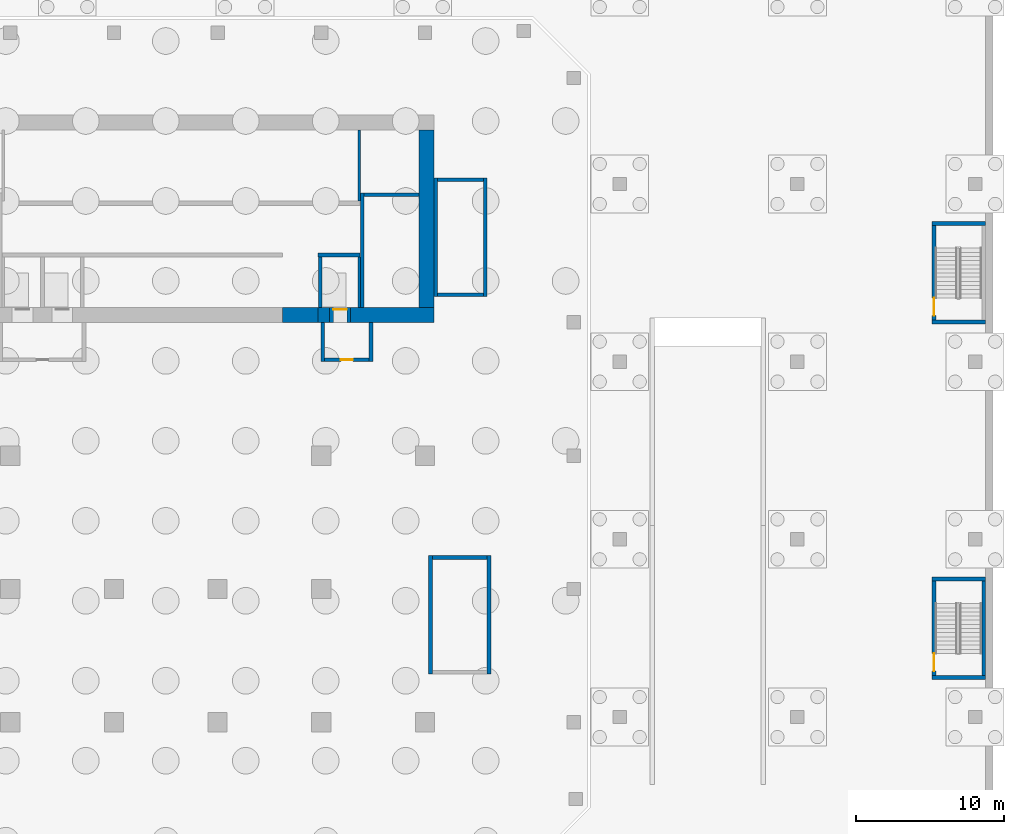
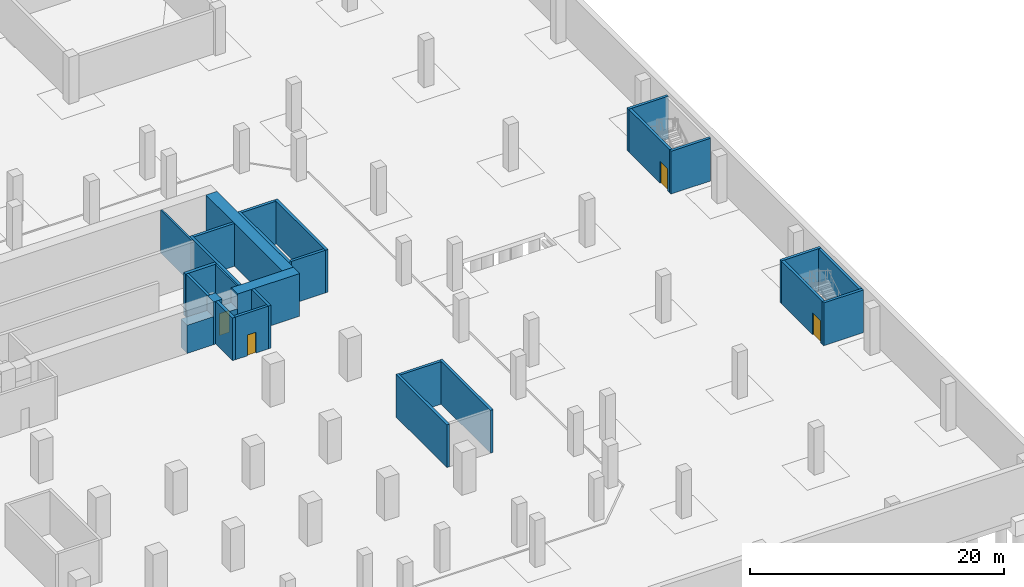
# One storey, part 9 of 15: 28 walls, 4 doors, 4 openings.
"""IFC4 building model written with IfcOpenShell, lengths in metres."""

from ifc_helpers import new_model, si_unit, direction, frame, frame_2d, origin, place, context, subcontext, project, spatial, rectangle, extrude, source, transform, mapped, material, layer, layer_set, type_object, element, fill, save


model = new_model("IFC4")

# Units and contexts
model_context = context("Model", 3, precision=1e-05, world=origin(), true_north=direction((0.0, 1.0)))
body_context = subcontext(model_context, "Body", "Model", "MODEL_VIEW")
ifc_project = project(units=[si_unit("LENGTHUNIT", "METRE"), si_unit("AREAUNIT", "SQUARE_METRE"), si_unit("VOLUMEUNIT", "CUBIC_METRE"), si_unit("PLANEANGLEUNIT", "RADIAN"), si_unit("MASSUNIT", "GRAM", prefix="KILO")], contexts=[model_context])

# Site, building, storey
site_placement = place(None, origin())
site = spatial("IfcSite", under=ifc_project, at=site_placement, CompositionType="ELEMENT")
building_placement = place(site_placement, origin())
building = spatial("IfcBuilding", under=site, at=building_placement, Name="Kilnfold Tower and Market Hall", CompositionType="ELEMENT")
storey_placement = place(building_placement, frame((0.0, 0.0, -9.0)))
storey = spatial("IfcBuildingStorey", under=building, at=storey_placement, Name="B2", CompositionType="ELEMENT", Elevation=-9.0)

# Walls
ifc_material_1 = material(Name="Concrete C80", Category="concrete")
ifc_layer_1 = layer(ifc_material_1, 1.0)
ifc_layer_set_1 = layer_set([ifc_layer_1], Name="Concrete C80")
wall_type_1 = type_object("IfcWallType", Name="CORE WALL 1000 C80", PredefinedType="SHEAR", material=ifc_layer_set_1)
shared_shape_1 = source(origin(), body_context, "Body", "SweptSolid", [
    extrude(rectangle(XDim=0.780029296875, YDim=1.0, at=frame_2d((0.39013671875, 0.0))), origin(), (0.0, 0.0, 1.0), 4.10009765625),
])
wall_1_placement = place(storey_placement, frame((10.2900390625, 8.5, 0.0), z_axis=(0.0, 0.0, 1.0), x_axis=(1.0, 0.0, 0.0)))
element("IfcWall", 1, at=wall_1_placement, inside=storey, type_object=wall_type_1, Name="Core outer wall south", PredefinedType="SHEAR", context=body_context, shape_type="MappedRepresentation", body=[
    mapped(shared_shape_1, transform((0.0, 0.0, 0.0))),
])
shared_shape_2 = source(origin(), body_context, "Body", "SweptSolid", [
    extrude(rectangle(XDim=5.630126953125, YDim=1.0, at=frame_2d((2.81494140625, 0.0))), origin(), (0.0, 0.0, 1.0), 4.10009765625),
])
wall_2_placement = place(storey_placement, frame((12.469970703125, 8.5, 0.0), z_axis=(0.0, 0.0, 1.0), x_axis=(1.0, 0.0, 0.0)))
element("IfcWall", 2, at=wall_2_placement, inside=storey, type_object=wall_type_1, Name="Core outer wall south", PredefinedType="SHEAR", context=body_context, shape_type="MappedRepresentation", body=[
    mapped(shared_shape_2, transform((0.0, 0.0, 0.0))),
])
shared_shape_3 = source(origin(), body_context, "Body", "SweptSolid", [
    extrude(rectangle(XDim=12.0, YDim=1.0, at=frame_2d((6.0, 0.0))), origin(), (0.0, 0.0, 1.0), 4.10009765625),
])
wall_3_placement = place(storey_placement, frame((17.60009765625, 9.0, 0.0), z_axis=(0.0, 0.0, 1.0), x_axis=(0.0, 1.0, 0.0)))
element("IfcWall", 3, at=wall_3_placement, inside=storey, type_object=wall_type_1, Name="Core outer wall east", PredefinedType="SHEAR", context=body_context, shape_type="MappedRepresentation", body=[
    mapped(shared_shape_3, transform((0.0, 0.0, 0.0))),
])
ifc_material_2 = material(Name="Concrete C80", Category="concrete")
ifc_layer_2 = layer(ifc_material_2, 0.25)
ifc_layer_set_2 = layer_set([ifc_layer_2], Name="Concrete C80")
wall_type_2 = type_object("IfcWallType", Name="CORE WALL 250 C80", PredefinedType="SHEAR", material=ifc_layer_set_2)
shared_shape_4 = source(origin(), body_context, "Body", "SweptSolid", [
    extrude(rectangle(XDim=7.75, YDim=0.25, at=frame_2d((3.875, 0.0))), origin(), (0.0, 0.0, 1.0), 4.10009765625),
])
wall_4_placement = place(storey_placement, frame((13.27490234375, 9.0, 0.0), z_axis=(0.0, 0.0, 1.0), x_axis=(0.0, 1.0, 0.0)))
element("IfcWall", 4, at=wall_4_placement, inside=storey, type_object=wall_type_2, Name="Stair enclosure ST2", PredefinedType="SHEAR", context=body_context, shape_type="MappedRepresentation", body=[
    mapped(shared_shape_4, transform((0.0, 0.0, 0.0))),
])
shared_shape_5 = source(origin(), body_context, "Body", "SweptSolid", [
    extrude(rectangle(XDim=3.699951171875, YDim=0.25, at=frame_2d((1.85009765625, 0.0))), origin(), (0.0, 0.0, 1.0), 4.10009765625),
])
wall_5_placement = place(storey_placement, frame((18.0, -7.875, 0.0), z_axis=(0.0, 0.0, 1.0), x_axis=(1.0, 0.0, 0.0)))
element("IfcWall", 5, at=wall_5_placement, inside=storey, type_object=wall_type_2, Name="Stair enclosure ST4", PredefinedType="SHEAR", context=body_context, shape_type="MappedRepresentation", body=[
    mapped(shared_shape_5, transform((0.0, 0.0, 0.0))),
])
shared_shape_6 = source(origin(), body_context, "Body", "SweptSolid", [
    extrude(rectangle(XDim=3.7001953125, YDim=0.25, at=frame_2d((1.85009765625, 0.0))), origin(), (0.0, 0.0, 1.0), 4.10009765625),
])
wall_6_placement = place(storey_placement, frame((13.39990234375, 16.625, 0.0), z_axis=(0.0, 0.0, 1.0), x_axis=(1.0, 0.0, 0.0)))
element("IfcWall", 6, at=wall_6_placement, inside=storey, type_object=wall_type_2, Name="Stair enclosure ST2", PredefinedType="SHEAR", context=body_context, shape_type="MappedRepresentation", body=[
    mapped(shared_shape_6, transform((0.0, 0.0, 0.0))),
])
shared_shape_7 = source(origin(), body_context, "Body", "SweptSolid", [
    extrude(rectangle(XDim=8.0, YDim=0.25, at=frame_2d((4.0, 0.0))), origin(), (0.0, 0.0, 1.0), 4.10009765625),
])
for number, where, z_axis, x_axis, name in (
    (7, (17.875, -15.75, 0.0), (0.0, 0.0, 1.0), (0.0, 1.0, 0.0), "Stair enclosure ST4"),
    (8, (21.824951171875, -15.75, 0.0), (0.0, 0.0, 1.0), (0.0, 1.0, 0.0), "Stair enclosure ST4"),
    (9, (18.22509765625, 9.75, 0.0), (0.0, 0.0, 1.0), (0.0, 1.0, 0.0), "Stair enclosure ST5"),
    (10, (21.574951171875, 9.75, 0.0), (0.0, 0.0, 1.0), (0.0, 1.0, 0.0), "Stair enclosure ST5"),
):
    element("IfcWall", number, at=place(storey_placement, frame(where, z_axis=z_axis, x_axis=x_axis)), inside=storey, type_object=wall_type_2, Name=name, PredefinedType="SHEAR", context=body_context, shape_type="MappedRepresentation", body=[
        mapped(shared_shape_7, transform((0.0, 0.0, 0.0))),
    ])
shared_shape_8 = source(origin(), body_context, "Body", "SweptSolid", [
    extrude(rectangle(XDim=3.099853515625, YDim=0.25, at=frame_2d((1.5498046875, 0.0))), origin(), (0.0, 0.0, 1.0), 4.10009765625),
])
for number, where, z_axis, x_axis, name in (
    (11, (18.35009765625, 9.875, 0.0), (0.0, 0.0, 1.0), (1.0, 0.0, 0.0), "Stair enclosure ST5"),
    (12, (18.35009765625, 17.625, 0.0), (0.0, 0.0, 1.0), (1.0, 0.0, 0.0), "Stair enclosure ST5"),
):
    element("IfcWall", number, at=place(storey_placement, frame(where, z_axis=z_axis, x_axis=x_axis)), inside=storey, type_object=wall_type_2, Name=name, PredefinedType="SHEAR", context=body_context, shape_type="MappedRepresentation", body=[
        mapped(shared_shape_8, transform((0.0, 0.0, 0.0))),
    ])
ifc_material_3 = material(Name="Concrete C80", Category="concrete")
ifc_layer_3 = layer(ifc_material_3, 0.300048828125)
ifc_layer_set_3 = layer_set([ifc_layer_3], Name="Concrete C80")
wall_type_3 = type_object("IfcWallType", Name="CORE WALL 300 C80", PredefinedType="SHEAR", material=ifc_layer_set_3)
shared_shape_9 = source(origin(), body_context, "Body", "SweptSolid", [
    extrude(rectangle(XDim=2.820068359375, YDim=0.300048828125, at=frame_2d((1.41015625, 0.0))), origin(), (0.0, 0.0, 1.0), 4.10009765625),
])
wall_7_placement = place(storey_placement, frame((10.2900390625, 12.550048828125, 0.0), z_axis=(0.0, 0.0, 1.0), x_axis=(1.0, 0.0, 0.0)))
element("IfcWall", 13, at=wall_7_placement, inside=storey, type_object=wall_type_3, Name="Core spine wall", PredefinedType="SHEAR", context=body_context, shape_type="MappedRepresentation", body=[
    mapped(shared_shape_9, transform((0.0, 0.0, 0.0))),
])
ifc_material_4 = material(Name="Gypsum shaft wall system")
ifc_layer_4 = layer(ifc_material_4, 0.25)
ifc_layer_set_4 = layer_set([ifc_layer_4], Name="Gypsum shaft wall system")
wall_type_4 = type_object("IfcWallType", Name="LOBBY WALL 250", PredefinedType="PARTITIONING", material=ifc_layer_set_4)
shared_shape_10 = source(origin(), body_context, "Body", "SweptSolid", [
    extrude(rectangle(XDim=2.64990234375, YDim=0.25, at=frame_2d((1.324951171875, 0.0))), origin(), (0.0, 0.0, 1.0), 4.10009765625),
])
for number, where, z_axis, x_axis, name in (
    (14, (10.60498046875, 5.35009765625, 0.0), (0.0, 0.0, 1.0), (0.0, 1.0, 0.0), "Firefighting lobby wall"),
    (15, (13.85498046875, 5.35009765625, 0.0), (0.0, 0.0, 1.0), (0.0, 1.0, 0.0), "Firefighting lobby wall"),
):
    element("IfcWall", number, at=place(storey_placement, frame(where, z_axis=z_axis, x_axis=x_axis)), inside=storey, type_object=wall_type_4, Name=name, PredefinedType="PARTITIONING", context=body_context, shape_type="MappedRepresentation", body=[
        mapped(shared_shape_10, transform((0.0, 0.0, 0.0))),
    ])

# Wall, opening, door
shared_shape_11 = source(origin(), body_context, "Body", "SweptSolid", [
    extrude(rectangle(XDim=3.0, YDim=0.25, at=frame_2d((1.5, 0.0))), origin(), (0.0, 0.0, 1.0), 4.10009765625),
])
wall_8_placement = place(storey_placement, frame((10.72998046875, 5.47509765625, 0.0), z_axis=(0.0, 0.0, 1.0), x_axis=(1.0, 0.0, 0.0)))
wall_8 = element("IfcWall", 16, at=wall_8_placement, inside=storey, type_object=wall_type_4, Name="Firefighting lobby wall", PredefinedType="PARTITIONING", context=body_context, shape_type="MappedRepresentation", body=[
    mapped(shared_shape_11, transform((0.0, 0.0, 0.0))),
])
opening_1_placement = place(wall_8_placement, frame((1.10009765625, 0.0, 0.0)))
opening_1 = element("IfcOpeningElement", 17, at=opening_1_placement, cuts=wall_8, Name="Opening VD1", PredefinedType="OPENING", context=body_context, shape_type="SweptSolid", body=[
    extrude(rectangle(XDim=0.800048828125, YDim=2.0, at=frame_2d((0.39990234375, 1.0))), frame((0.0, 0.135009765625, 0.0), z_axis=(0.0, -1.0, 0.0), x_axis=(1.0, 0.0, 0.0)), (0.0, 0.0, 1.0), 0.27001953125),
])
ifc_material_5 = material(Name="Steel door set with fire-resisting leaf", Category="steel")
door_type_1 = type_object("IfcDoorType", Name="FIREFIGHTING LOBBY DOOR 800X2000", OperationType="NOTDEFINED", PredefinedType="DOOR", material=ifc_material_5)
door_1_placement = place(opening_1_placement, origin())
door_1 = element("IfcDoor", 18, at=door_1_placement, inside=storey, type_object=door_type_1, Name="Firefighting lobby door", OperationType="SINGLE_SWING_RIGHT", OverallHeight=2.0, OverallWidth=0.800048828125, PredefinedType="DOOR", context=body_context, shape_type="SweptSolid", body=[
    extrude(rectangle(XDim=0.800048828125, YDim=2.0, at=frame_2d((0.39990234375, 1.0))), frame((0.0, 0.02490234375, 0.0), z_axis=(0.0, -1.0, 0.0), x_axis=(1.0, 0.0, 0.0)), (0.0, 0.0, 1.0), 0.050048828125),
])
fill(opening_1, door_1)

# Walls
ifc_material_6 = material(Name="Gypsum shaft wall system")
ifc_layer_5 = layer(ifc_material_6, 0.1650390625)
ifc_layer_set_5 = layer_set([ifc_layer_5], Name="Gypsum shaft wall system")
wall_type_5 = type_object("IfcWallType", Name="SHAFT WALL 165", PredefinedType="PARTITIONING", material=ifc_layer_set_5)
shared_shape_12 = source(origin(), body_context, "Body", "SweptSolid", [
    extrude(rectangle(XDim=4.800048828125, YDim=0.1650390625, at=frame_2d((2.39990234375, 0.0))), origin(), (0.0, 0.0, 1.0), 4.10009765625),
])
wall_9_placement = place(storey_placement, frame((13.0673828125, 16.199951171875, 0.0), z_axis=(0.0, 0.0, 1.0), x_axis=(0.0, 1.0, 0.0)))
element("IfcWall", 19, at=wall_9_placement, inside=storey, type_object=wall_type_5, Name="Lift shaft wall", PredefinedType="PARTITIONING", context=body_context, shape_type="MappedRepresentation", body=[
    mapped(shared_shape_12, transform((0.0, 0.0, 0.0))),
])
ifc_material_7 = material(Name="Gypsum shaft wall system")
ifc_layer_6 = layer(ifc_material_7, 0.25)
ifc_layer_set_6 = layer_set([ifc_layer_6], Name="Gypsum shaft wall system")
wall_type_6 = type_object("IfcWallType", Name="SHAFT WALL 250", PredefinedType="PARTITIONING", material=ifc_layer_set_6)
shared_shape_13 = source(origin(), body_context, "Body", "SweptSolid", [
    extrude(rectangle(XDim=3.39990234375, YDim=0.25, at=frame_2d((1.699951171875, 0.0))), origin(), (0.0, 0.0, 1.0), 4.10009765625),
])
wall_10_placement = place(storey_placement, frame((10.429931640625, 9.0, 0.0), z_axis=(0.0, 0.0, 1.0), x_axis=(0.0, 1.0, 0.0)))
element("IfcWall", 20, at=wall_10_placement, inside=storey, type_object=wall_type_6, Name="Lift shaft wall", PredefinedType="PARTITIONING", context=body_context, shape_type="MappedRepresentation", body=[
    mapped(shared_shape_13, transform((0.0, 0.0, 0.0))),
])
shared_shape_14 = source(origin(), body_context, "Body", "SweptSolid", [
    extrude(rectangle(XDim=3.39990234375, YDim=0.1650390625, at=frame_2d((1.699951171875, 0.0))), origin(), (0.0, 0.0, 1.0), 4.10009765625),
])
wall_11_placement = place(storey_placement, frame((13.0673828125, 9.0, 0.0), z_axis=(0.0, 0.0, 1.0), x_axis=(0.0, 1.0, 0.0)))
element("IfcWall", 21, at=wall_11_placement, inside=storey, type_object=wall_type_5, Name="Lift shaft wall", PredefinedType="PARTITIONING", context=body_context, shape_type="MappedRepresentation", body=[
    mapped(shared_shape_14, transform((0.0, 0.0, 0.0))),
])

# Wall, opening, door
ifc_material_8 = material(Name="Gypsum shaft wall system")
ifc_layer_7 = layer(ifc_material_8, 1.0)
ifc_layer_set_7 = layer_set([ifc_layer_7], Name="Gypsum shaft wall system")
wall_type_7 = type_object("IfcWallType", Name="LOBBY WALL 1000", PredefinedType="PARTITIONING", material=ifc_layer_set_7)
shared_shape_15 = source(origin(), body_context, "Body", "SweptSolid", [
    extrude(rectangle(XDim=1.39990234375, YDim=1.0, at=frame_2d((0.699951171875, 0.0))), origin(), (0.0, 0.0, 1.0), 2.699951171875),
])
wall_12_placement = place(storey_placement, frame((11.070068359375, 8.5, 0.0), z_axis=(0.0, 0.0, 1.0), x_axis=(1.0, 0.0, 0.0)))
wall_12 = element("IfcWall", 22, at=wall_12_placement, inside=storey, type_object=wall_type_7, Name="Core wall infill", PredefinedType="PARTITIONING", context=body_context, shape_type="MappedRepresentation", body=[
    mapped(shared_shape_15, transform((0.0, 0.0, 0.0))),
])
opening_2_placement = place(wall_12_placement, frame((0.25, 0.0, 0.0)))
opening_2 = element("IfcOpeningElement", 23, at=opening_2_placement, cuts=wall_12, Name="Opening LD1", PredefinedType="OPENING", context=body_context, shape_type="SweptSolid", body=[
    extrude(rectangle(XDim=0.89990234375, YDim=2.10009765625, at=frame_2d((0.449951171875, 1.050048828125))), frame((0.0, 0.510009765625, 0.0), z_axis=(0.0, -1.0, 0.0), x_axis=(1.0, 0.0, 0.0)), (0.0, 0.0, 1.0), 1.02001953125),
])
ifc_material_9 = material(Name="Steel door set with fire-resisting leaf", Category="steel")
door_type_2 = type_object("IfcDoorType", Name="FIREFIGHTING LANDING DOOR 900X2100", OperationType="NOTDEFINED", PredefinedType="DOOR", material=ifc_material_9)
door_2_placement = place(opening_2_placement, origin())
door_2 = element("IfcDoor", 24, at=door_2_placement, inside=storey, type_object=door_type_2, Name="Landing door FF3", OperationType="SLIDING_TO_LEFT", OverallHeight=2.10009765625, OverallWidth=0.89990234375, PredefinedType="DOOR", context=body_context, shape_type="SweptSolid", body=[
    extrude(rectangle(XDim=0.89990234375, YDim=2.10009765625, at=frame_2d((0.449951171875, 1.050048828125))), frame((0.0, 0.40478515625, 0.0), z_axis=(0.0, -1.0, 0.0), x_axis=(1.0, 0.0, 0.0)), (0.0, 0.0, 1.0), 0.050048828125),
])
fill(opening_2, door_2)

# Walls
shared_shape_16 = source(origin(), body_context, "Body", "SweptSolid", [
    extrude(rectangle(XDim=2.400146484375, YDim=1.0, at=frame_2d((1.2001953125, 0.0))), origin(), (0.0, 0.0, 1.0), 2.699951171875),
])
wall_13_placement = place(storey_placement, frame((7.889892578125, 8.5, 0.0), z_axis=(0.0, 0.0, 1.0), x_axis=(1.0, 0.0, 0.0)))
element("IfcWall", 25, at=wall_13_placement, inside=storey, type_object=wall_type_7, Name="Core wall infill", PredefinedType="PARTITIONING", context=body_context, shape_type="MappedRepresentation", body=[
    mapped(shared_shape_16, transform((0.0, 0.0, 0.0))),
])
ifc_material_10 = material(Name="Concrete C50/60", Category="concrete")
ifc_layer_8 = layer(ifc_material_10, 0.25)
ifc_layer_set_8 = layer_set([ifc_layer_8], Name="Concrete C50/60")
wall_type_8 = type_object("IfcWallType", Name="CAR PARK STAIR WALL 250", PredefinedType="SHEAR", material=ifc_layer_set_8)
shared_shape_17 = source(origin(), body_context, "Body", "SweptSolid", [
    extrude(rectangle(XDim=3.60009765625, YDim=0.25, at=frame_2d((1.800048828125, 0.0))), origin(), (0.0, 0.0, 1.0), 4.10009765625),
])
for number, where, z_axis, x_axis, name in (
    (26, (51.75, -15.97509765625, 0.0), (0.0, 0.0, 1.0), (1.0, 0.0, 0.0), "Stair CS3 wall south"),
    (27, (51.75, -9.324951171875, 0.0), (0.0, 0.0, 1.0), (1.0, 0.0, 0.0), "Stair CS3 wall north"),
    (28, (51.75, 8.02490234375, 0.0), (0.0, 0.0, 1.0), (1.0, 0.0, 0.0), "Stair CS4 wall south"),
    (29, (51.75, 14.675048828125, 0.0), (0.0, 0.0, 1.0), (1.0, 0.0, 0.0), "Stair CS4 wall north"),
):
    element("IfcWall", number, at=place(storey_placement, frame(where, z_axis=z_axis, x_axis=x_axis)), inside=storey, type_object=wall_type_8, Name=name, PredefinedType="SHEAR", context=body_context, shape_type="MappedRepresentation", body=[
        mapped(shared_shape_17, transform((0.0, 0.0, 0.0))),
    ])

# Wall, opening, door
shared_shape_18 = source(origin(), body_context, "Body", "SweptSolid", [
    extrude(rectangle(XDim=6.400146484375, YDim=0.25, at=frame_2d((3.2001953125, 0.0))), origin(), (0.0, 0.0, 1.0), 4.10009765625),
])
wall_14_placement = place(storey_placement, frame((51.875, -15.85009765625, 0.0), z_axis=(0.0, 0.0, 1.0), x_axis=(0.0, 1.0, 0.0)))
wall_14 = element("IfcWall", 30, at=wall_14_placement, inside=storey, type_object=wall_type_8, Name="Stair CS3 wall west", PredefinedType="SHEAR", context=body_context, shape_type="MappedRepresentation", body=[
    mapped(shared_shape_18, transform((0.0, 0.0, 0.0))),
])
opening_3_placement = place(wall_14_placement, frame((0.300048828125, 0.0, 0.0)))
opening_3 = element("IfcOpeningElement", 31, at=opening_3_placement, cuts=wall_14, Name="Opening FD2", PredefinedType="OPENING", context=body_context, shape_type="SweptSolid", body=[
    extrude(rectangle(XDim=1.199951171875, YDim=2.10009765625, at=frame_2d((0.60009765625, 1.050048828125))), frame((0.0, 0.135009765625, 0.0), z_axis=(0.0, -1.0, 0.0), x_axis=(1.0, 0.0, 0.0)), (0.0, 0.0, 1.0), 0.27001953125),
])
ifc_material_11 = material(Name="Steel S355", Category="steel")
door_type_3 = type_object("IfcDoorType", Name="CAR PARK STAIR DOOR 1200X2100", OperationType="NOTDEFINED", PredefinedType="DOOR", material=ifc_material_11)
door_3_placement = place(opening_3_placement, origin())
door_3 = element("IfcDoor", 32, at=door_3_placement, inside=storey, type_object=door_type_3, Name="Stair CS3 door", OperationType="SINGLE_SWING_LEFT", OverallHeight=2.10009765625, OverallWidth=1.199951171875, PredefinedType="DOOR", context=body_context, shape_type="SweptSolid", body=[
    extrude(rectangle(XDim=1.199951171875, YDim=2.10009765625, at=frame_2d((0.60009765625, 1.050048828125))), frame((0.0, 0.02490234375, 0.0), z_axis=(0.0, -1.0, 0.0), x_axis=(1.0, 0.0, 0.0)), (0.0, 0.0, 1.0), 0.050048828125),
])
fill(opening_3, door_3)

# Wall
wall_15_placement = place(storey_placement, frame((55.22509765625, -15.85009765625, 0.0), z_axis=(0.0, 0.0, 1.0), x_axis=(0.0, 1.0, 0.0)))
element("IfcWall", 33, at=wall_15_placement, inside=storey, type_object=wall_type_8, Name="Stair CS3 wall east", PredefinedType="SHEAR", context=body_context, shape_type="MappedRepresentation", body=[
    mapped(shared_shape_18, transform((0.0, 0.0, 0.0))),
])

# Wall, opening, door
wall_16_placement = place(storey_placement, frame((51.875, 8.14990234375, 0.0), z_axis=(0.0, 0.0, 1.0), x_axis=(0.0, 1.0, 0.0)))
wall_16 = element("IfcWall", 34, at=wall_16_placement, inside=storey, type_object=wall_type_8, Name="Stair CS4 wall west", PredefinedType="SHEAR", context=body_context, shape_type="MappedRepresentation", body=[
    mapped(shared_shape_18, transform((0.0, 0.0, 0.0))),
])
opening_4_placement = place(wall_16_placement, frame((0.300048828125, 0.0, 0.0)))
opening_4 = element("IfcOpeningElement", 35, at=opening_4_placement, cuts=wall_16, Name="Opening FD2", PredefinedType="OPENING", context=body_context, shape_type="SweptSolid", body=[
    extrude(rectangle(XDim=1.199951171875, YDim=2.10009765625, at=frame_2d((0.60009765625, 1.050048828125))), frame((0.0, 0.135009765625, 0.0), z_axis=(0.0, -1.0, 0.0), x_axis=(1.0, 0.0, 0.0)), (0.0, 0.0, 1.0), 0.27001953125),
])
door_4_placement = place(opening_4_placement, origin())
door_4 = element("IfcDoor", 36, at=door_4_placement, inside=storey, type_object=door_type_3, Name="Stair CS4 door", OperationType="SINGLE_SWING_RIGHT", OverallHeight=2.10009765625, OverallWidth=1.199951171875, PredefinedType="DOOR", context=body_context, shape_type="SweptSolid", body=[
    extrude(rectangle(XDim=1.199951171875, YDim=2.10009765625, at=frame_2d((0.60009765625, 1.050048828125))), frame((0.0, 0.02490234375, 0.0), z_axis=(0.0, -1.0, 0.0), x_axis=(1.0, 0.0, 0.0)), (0.0, 0.0, 1.0), 0.050048828125),
])
fill(opening_4, door_4)

save(model, "model.ifc")
